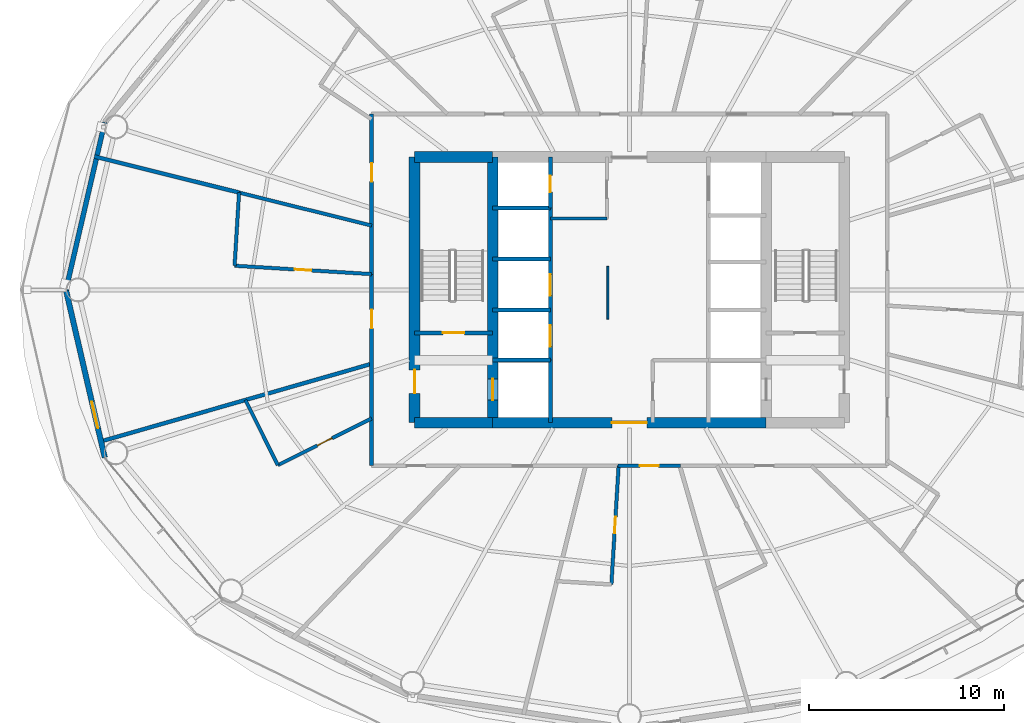
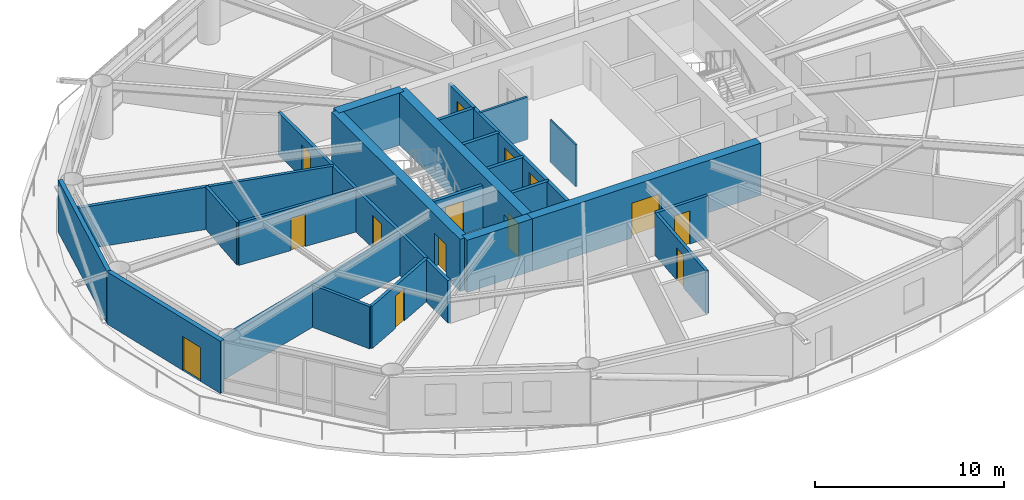
# One storey, part 18 of 24: 28 walls, 14 doors, 14 openings.
"""IFC4 building model written with IfcOpenShell, lengths in metres."""

from ifc_helpers import new_model, si_unit, direction, frame, frame_2d, origin, place, context, subcontext, project, spatial, rectangle, extrude, material, layer, layer_set, type_object, element, fill, save


model = new_model("IFC4")

# Units and contexts
model_context = context("Model", 3, precision=1e-05, world=origin(), true_north=direction((0.0, 1.0)))
body_context = subcontext(model_context, "Body", "Model", "MODEL_VIEW")
ifc_project = project(units=[si_unit("LENGTHUNIT", "METRE"), si_unit("AREAUNIT", "SQUARE_METRE"), si_unit("VOLUMEUNIT", "CUBIC_METRE"), si_unit("PLANEANGLEUNIT", "RADIAN"), si_unit("MASSUNIT", "GRAM", prefix="KILO")], contexts=[model_context])

# Site, building, storey
site_placement = place(None, origin())
site = spatial("IfcSite", under=ifc_project, at=site_placement, CompositionType="ELEMENT")
building_placement = place(site_placement, origin())
building = spatial("IfcBuilding", under=site, at=building_placement, Name="Sarneth Arch Tower", CompositionType="ELEMENT")
storey_placement = place(building_placement, frame((0.0, 0.0, 94.800048828125)))
storey = spatial("IfcBuildingStorey", under=building, at=storey_placement, Name="L23", CompositionType="ELEMENT", Elevation=94.800048828125)

# Wall
ifc_material_1 = material(Name="Concrete C60/75", Category="concrete")
ifc_layer_1 = layer(ifc_material_1, 0.550048828125)
ifc_layer_set_1 = layer_set([ifc_layer_1], Name="Concrete C60/75")
wall_type_1 = type_object("IfcWallType", Name="WALL-CORE-550", PredefinedType="SHEAR", material=ifc_layer_set_1)
wall_1_placement = place(storey_placement, frame((37.0, 35.199951171875, 0.0), z_axis=(0.0, 0.0, 1.0), x_axis=(1.0, 0.0, 0.0)))
element("IfcWall", 1, at=wall_1_placement, inside=storey, type_object=wall_type_1, Name="L23 Core shear wall S-W", PredefinedType="SHEAR", context=body_context, shape_type="SweptSolid", body=[
    extrude(rectangle(XDim=4.0, YDim=0.550048828125, at=frame_2d((2.0, 0.0))), origin(), (0.0, 0.0, 1.0), 3.3798828125),
])

# Wall, opening, door
wall_2_placement = place(storey_placement, frame((41.0, 35.199951171875, 0.0), z_axis=(0.0, 0.0, 1.0), x_axis=(1.0, 0.0, 0.0)))
wall_2 = element("IfcWall", 2, at=wall_2_placement, inside=storey, type_object=wall_type_1, Name="L23 Core shear wall S-M", PredefinedType="SHEAR", context=body_context, shape_type="SweptSolid", body=[
    extrude(rectangle(XDim=14.0, YDim=0.550048828125, at=frame_2d((7.0, 0.0))), origin(), (0.0, 0.0, 1.0), 3.3798828125),
])
opening_1_placement = place(wall_2_placement, frame((6.10009765625, 0.0, 0.0)))
opening_1 = element("IfcOpeningElement", 3, at=opening_1_placement, cuts=wall_2, Name="Opening FD-01", PredefinedType="OPENING", context=body_context, shape_type="SweptSolid", body=[
    extrude(rectangle(XDim=1.800048828125, YDim=2.25, at=frame_2d((0.89990234375, 1.125))), frame((0.0, 0.284912109375, 0.0), z_axis=(0.0, -1.0, 0.0), x_axis=(1.0, 0.0, 0.0)), (0.0, 0.0, 1.0), 0.570068359375),
])
ifc_material_2 = material(Name="Galvanised Steel S275 fire door set", Category="steel")
door_type_1 = type_object("IfcDoorType", Name="DR-FD90-1800", OperationType="DOUBLE_DOOR_SINGLE_SWING", PredefinedType="DOOR", material=ifc_material_2)
door_1_placement = place(opening_1_placement, origin())
door_1 = element("IfcDoor", 4, at=door_1_placement, inside=storey, type_object=door_type_1, Name="L23 Central lift lobby south door", OperationType="DOUBLE_DOOR_SINGLE_SWING", OverallHeight=2.25, OverallWidth=1.800048828125, PredefinedType="DOOR", context=body_context, shape_type="SweptSolid", body=[
    extrude(rectangle(XDim=1.800048828125, YDim=2.25, at=frame_2d((0.89990234375, 1.125))), frame((0.0, 0.02490234375, 0.0), z_axis=(0.0, -1.0, 0.0), x_axis=(1.0, 0.0, 0.0)), (0.0, 0.0, 1.0), 0.050048828125),
])
fill(opening_1, door_1)

# Wall
wall_3_placement = place(storey_placement, frame((37.0, 48.800048828125, 0.0), z_axis=(0.0, 0.0, 1.0), x_axis=(1.0, 0.0, 0.0)))
element("IfcWall", 5, at=wall_3_placement, inside=storey, type_object=wall_type_1, Name="L23 Core shear wall N-W", PredefinedType="SHEAR", context=body_context, shape_type="SweptSolid", body=[
    extrude(rectangle(XDim=4.0, YDim=0.550048828125, at=frame_2d((2.0, 0.0))), origin(), (0.0, 0.0, 1.0), 3.3798828125),
])

# Wall, opening, door
wall_4_placement = place(storey_placement, frame((37.0, 35.199951171875, 0.0), z_axis=(0.0, 0.0, 1.0), x_axis=(0.0, 1.0, 0.0)))
wall_4 = element("IfcWall", 6, at=wall_4_placement, inside=storey, type_object=wall_type_1, Name="L23 Core shear wall W", PredefinedType="SHEAR", context=body_context, shape_type="SweptSolid", body=[
    extrude(rectangle(XDim=13.60009765625, YDim=0.550048828125, at=frame_2d((6.800048828125, 0.0))), origin(), (0.0, 0.0, 1.0), 3.3798828125),
])
opening_2_placement = place(wall_4_placement, frame((1.5, 0.0, 0.0)))
opening_2 = element("IfcOpeningElement", 7, at=opening_2_placement, cuts=wall_4, Name="Opening FD-02", PredefinedType="OPENING", context=body_context, shape_type="SweptSolid", body=[
    extrude(rectangle(XDim=1.199951171875, YDim=2.14990234375, at=frame_2d((0.60009765625, 1.074951171875))), frame((0.0, 0.284912109375, 0.0), z_axis=(0.0, -1.0, 0.0), x_axis=(1.0, 0.0, 0.0)), (0.0, 0.0, 1.0), 0.570068359375),
])
ifc_material_3 = material(Name="Galvanised Steel S275 fire door set", Category="steel")
door_type_2 = type_object("IfcDoorType", Name="DR-FD90-1200", OperationType="SINGLE_SWING_LEFT", PredefinedType="DOOR", material=ifc_material_3)
door_2_placement = place(opening_2_placement, origin())
door_2 = element("IfcDoor", 8, at=door_2_placement, inside=storey, type_object=door_type_2, Name="L23 Firefighting lobby 1 exit door", OperationType="SINGLE_SWING_LEFT", OverallHeight=2.14990234375, OverallWidth=1.199951171875, PredefinedType="DOOR", context=body_context, shape_type="SweptSolid", body=[
    extrude(rectangle(XDim=1.199951171875, YDim=2.14990234375, at=frame_2d((0.60009765625, 1.074951171875))), frame((0.0, 0.02490234375, 0.0), z_axis=(0.0, -1.0, 0.0), x_axis=(1.0, 0.0, 0.0)), (0.0, 0.0, 1.0), 0.050048828125),
])
fill(opening_2, door_2)

wall_5_placement = place(storey_placement, frame((41.0, 35.199951171875, 0.0), z_axis=(0.0, 0.0, 1.0), x_axis=(0.0, 1.0, 0.0)))
wall_5 = element("IfcWall", 9, at=wall_5_placement, inside=storey, type_object=wall_type_1, Name="L23 Core shear wall WEB-W", PredefinedType="SHEAR", context=body_context, shape_type="SweptSolid", body=[
    extrude(rectangle(XDim=13.60009765625, YDim=0.550048828125, at=frame_2d((6.800048828125, 0.0))), origin(), (0.0, 0.0, 1.0), 3.3798828125),
])
opening_3_placement = place(wall_5_placement, frame((1.14990234375, 0.0, 0.0)))
opening_3 = element("IfcOpeningElement", 10, at=opening_3_placement, cuts=wall_5, Name="Opening LD-1", PredefinedType="OPENING", context=body_context, shape_type="SweptSolid", body=[
    extrude(rectangle(XDim=1.10009765625, YDim=2.199951171875, at=frame_2d((0.550048828125, 1.10009765625))), frame((0.0, 0.284912109375, 0.0), z_axis=(0.0, -1.0, 0.0), x_axis=(1.0, 0.0, 0.0)), (0.0, 0.0, 1.0), 0.570068359375),
])
ifc_material_4 = material(Name="Brushed Stainless Steel 304 lift landing door", Category="steel")
door_type_3 = type_object("IfcDoorType", Name="DR-LIFT-SLIDE-1100", OperationType="SLIDING_TO_LEFT", PredefinedType="DOOR", material=ifc_material_4)
door_3_placement = place(opening_3_placement, origin())
door_3 = element("IfcDoor", 11, at=door_3_placement, inside=storey, type_object=door_type_3, Name="L23 Firefighting lift landing door FL-1", OperationType="SLIDING_TO_LEFT", OverallHeight=2.199951171875, OverallWidth=1.10009765625, PredefinedType="DOOR", context=body_context, shape_type="SweptSolid", body=[
    extrude(rectangle(XDim=1.10009765625, YDim=2.199951171875, at=frame_2d((0.550048828125, 1.10009765625))), frame((0.0, 0.02490234375, 0.0), z_axis=(0.0, -1.0, 0.0), x_axis=(1.0, 0.0, 0.0)), (0.0, 0.0, 1.0), 0.050048828125),
])
fill(opening_3, door_3)

ifc_material_5 = material(Name="Double steel-stud corridor fire wall", Category="steel")
ifc_layer_2 = layer(ifc_material_5, 0.18994140625)
ifc_layer_set_2 = layer_set([ifc_layer_2], Name="Double steel-stud corridor fire wall")
wall_type_2 = type_object("IfcWallType", Name="WALL-CORR-190", PredefinedType="PARTITIONING", material=ifc_layer_set_2)
wall_6_placement = place(storey_placement, frame((34.800048828125, 42.775146484375, 0.0), z_axis=(0.0, 0.0, 1.0), x_axis=(0.0, 1.0, 0.0)))
wall_6 = element("IfcWall", 12, at=wall_6_placement, inside=storey, type_object=wall_type_2, Name="L23 Interior partition W-L23-TP-009", PredefinedType="PARTITIONING", context=body_context, shape_type="SweptSolid", body=[
    extrude(rectangle(XDim=8.224853515625, YDim=0.18994140625, at=frame_2d((4.1123046875, 0.0))), origin(), (0.0, 0.0, 1.0), 2.739990234375),
])
opening_4_placement = place(wall_6_placement, frame((4.7666015625, 0.0, 0.0)))
opening_4 = element("IfcOpeningElement", 13, at=opening_4_placement, cuts=wall_6, Name="Opening FD-09", PredefinedType="OPENING", context=body_context, shape_type="SweptSolid", body=[
    extrude(rectangle(XDim=0.949951171875, YDim=2.14990234375, at=frame_2d((0.47509765625, 1.074951171875))), frame((0.0, 0.10498046875, 0.0), z_axis=(0.0, -1.0, 0.0), x_axis=(1.0, 0.0, 0.0)), (0.0, 0.0, 1.0), 0.2099609375),
])
ifc_material_6 = material(Name="Hardwood timber hotel entrance fire door", Category="wood")
door_type_4 = type_object("IfcDoorType", Name="DR-FD60-950", OperationType="SINGLE_SWING_RIGHT", PredefinedType="DOOR", material=ifc_material_6)
door_4_placement = place(opening_4_placement, origin())
door_4 = element("IfcDoor", 14, at=door_4_placement, inside=storey, type_object=door_type_4, Name="L23 Interior door DR-L23-KEY-05", OperationType="SINGLE_SWING_LEFT", OverallHeight=2.14990234375, OverallWidth=0.949951171875, PredefinedType="DOOR", context=body_context, shape_type="SweptSolid", body=[
    extrude(rectangle(XDim=0.949951171875, YDim=2.14990234375, at=frame_2d((0.47509765625, 1.074951171875))), frame((0.0, 0.02490234375, 0.0), z_axis=(0.0, -1.0, 0.0), x_axis=(1.0, 0.0, 0.0)), (0.0, 0.0, 1.0), 0.050048828125),
])
fill(opening_4, door_4)

wall_7_placement = place(storey_placement, frame((34.800048828125, 33.0, 0.0), z_axis=(0.0, 0.0, 1.0), x_axis=(0.0, 1.0, 0.0)))
wall_7 = element("IfcWall", 15, at=wall_7_placement, inside=storey, type_object=wall_type_2, Name="L23 Interior partition W-L23-TP-012", PredefinedType="PARTITIONING", context=body_context, shape_type="SweptSolid", body=[
    extrude(rectangle(XDim=9.83935546875, YDim=0.18994140625, at=frame_2d((4.919677734375, 0.0))), origin(), (0.0, 0.0, 1.0), 2.739990234375),
])
opening_5_placement = place(wall_7_placement, frame((7.035400390625, 0.0, 0.0)))
opening_5 = element("IfcOpeningElement", 16, at=opening_5_placement, cuts=wall_7, Name="Opening FD-09", PredefinedType="OPENING", context=body_context, shape_type="SweptSolid", body=[
    extrude(rectangle(XDim=0.949951171875, YDim=2.14990234375, at=frame_2d((0.47509765625, 1.074951171875))), frame((0.0, 0.10498046875, 0.0), z_axis=(0.0, -1.0, 0.0), x_axis=(1.0, 0.0, 0.0)), (0.0, 0.0, 1.0), 0.2099609375),
])
door_5_placement = place(opening_5_placement, origin())
door_5 = element("IfcDoor", 17, at=door_5_placement, inside=storey, type_object=door_type_4, Name="L23 Interior door DR-L23-KEY-06", OperationType="SINGLE_SWING_RIGHT", OverallHeight=2.14990234375, OverallWidth=0.949951171875, PredefinedType="DOOR", context=body_context, shape_type="SweptSolid", body=[
    extrude(rectangle(XDim=0.949951171875, YDim=2.14990234375, at=frame_2d((0.47509765625, 1.074951171875))), frame((0.0, 0.02490234375, 0.0), z_axis=(0.0, -1.0, 0.0), x_axis=(1.0, 0.0, 0.0)), (0.0, 0.0, 1.0), 0.050048828125),
])
fill(opening_5, door_5)

wall_8_placement = place(storey_placement, frame((50.614013671875, 33.0, 0.0), z_axis=(0.0, 0.0, 1.0), x_axis=(-1.0, 0.0, 0.0)))
wall_8 = element("IfcWall", 18, at=wall_8_placement, inside=storey, type_object=wall_type_2, Name="L23 Interior partition W-L23-TP-018", PredefinedType="PARTITIONING", context=body_context, shape_type="SweptSolid", body=[
    extrude(rectangle(XDim=3.196533203125, YDim=0.18994140625, at=frame_2d((1.59814453125, 0.0))), origin(), (0.0, 0.0, 1.0), 2.739990234375),
])
opening_6_placement = place(wall_8_placement, frame((1.123291015625, 0.0, 0.0)))
opening_6 = element("IfcOpeningElement", 19, at=opening_6_placement, cuts=wall_8, Name="Opening FD-09", PredefinedType="OPENING", context=body_context, shape_type="SweptSolid", body=[
    extrude(rectangle(XDim=0.949951171875, YDim=2.14990234375, at=frame_2d((0.47509765625, 1.074951171875))), frame((0.0, 0.10498046875, 0.0), z_axis=(0.0, -1.0, 0.0), x_axis=(1.0, 0.0, 0.0)), (0.0, 0.0, 1.0), 0.2099609375),
])
door_6_placement = place(opening_6_placement, origin())
door_6 = element("IfcDoor", 20, at=door_6_placement, inside=storey, type_object=door_type_4, Name="L23 Interior door DR-L23-KEY-09", OperationType="SINGLE_SWING_RIGHT", OverallHeight=2.14990234375, OverallWidth=0.949951171875, PredefinedType="DOOR", context=body_context, shape_type="SweptSolid", body=[
    extrude(rectangle(XDim=0.949951171875, YDim=2.14990234375, at=frame_2d((0.47509765625, 1.074951171875))), frame((0.0, 0.02490234375, 0.0), z_axis=(0.0, -1.0, 0.0), x_axis=(1.0, 0.0, 0.0)), (0.0, 0.0, 1.0), 0.050048828125),
])
fill(opening_6, door_6)

# Wall
ifc_material_7 = material(Name="Extruded terracotta rainscreen on Concrete C40/50 backing", Category="masonry")
ifc_layer_3 = layer(ifc_material_7, 0.25)
ifc_layer_set_3 = layer_set([ifc_layer_3], Name="Extruded terracotta rainscreen on Concrete C40/50 backing")
wall_type_3 = type_object("IfcWallType", Name="WALL-EXT-SPAND-250", PredefinedType="SOLIDWALL", material=ifc_layer_set_3)
wall_9_placement = place(storey_placement, frame((21.138671875, 50.58349609375, 0.0), z_axis=(0.0, 0.0, 1.0), x_axis=(-0.22558597182, -0.974223264616, 0.0)))
element("IfcWall", 21, at=wall_9_placement, inside=storey, type_object=wall_type_3, Name="L23 Terracotta perimeter wall 08", PredefinedType="SOLIDWALL", context=body_context, shape_type="SweptSolid", body=[
    extrude(rectangle(XDim=8.810546875, YDim=0.25, at=frame_2d((4.4052734375, 0.0))), origin(), (0.0, 0.0, 1.0), 3.3798828125),
])

# Wall, opening, door
ifc_material_8 = material(Name="Extruded terracotta rainscreen on Concrete C40/50 backing", Category="masonry")
ifc_layer_4 = layer(ifc_material_8, 0.280029296875)
ifc_layer_set_4 = layer_set([ifc_layer_4], Name="Extruded terracotta rainscreen on Concrete C40/50 backing")
wall_type_4 = type_object("IfcWallType", Name="WALL-EXT-TERRA-280", PredefinedType="SOLIDWALL", material=ifc_layer_set_4)
wall_10_placement = place(storey_placement, frame((19.151123046875, 42.0, 0.0), z_axis=(0.0, 0.0, 1.0), x_axis=(0.22558597182, -0.974223264616, 0.0)))
wall_10 = element("IfcWall", 22, at=wall_10_placement, inside=storey, type_object=wall_type_4, Name="L23 Terracotta perimeter wall 09", PredefinedType="SOLIDWALL", context=body_context, shape_type="SweptSolid", body=[
    extrude(rectangle(XDim=8.810546875, YDim=0.280029296875, at=frame_2d((4.4052734375, 0.0))), origin(), (0.0, 0.0, 1.0), 3.3798828125),
])
opening_7_placement = place(wall_10_placement, frame((5.87451171875, 0.0, 0.0)))
opening_7 = element("IfcOpeningElement", 23, at=opening_7_placement, cuts=wall_10, Name="Opening BD-2", PredefinedType="OPENING", context=body_context, shape_type="SweptSolid", body=[
    extrude(rectangle(XDim=1.39990234375, YDim=2.199951171875, at=frame_2d((0.699951171875, 1.10009765625))), frame((0.0, 0.14990234375, 0.0), z_axis=(0.0, -1.0, 0.0), x_axis=(1.0, 0.0, 0.0)), (0.0, 0.0, 1.0), 0.300048828125),
])
ifc_material_9 = material(Name="Thermally broken Aluminium 6063-T6 and laminated safety glass", Category="aluminium")
door_type_5 = type_object("IfcDoorType", Name="DR-BALC-GLZ-1400", OperationType="SINGLE_SWING_LEFT", PredefinedType="DOOR", material=ifc_material_9)
door_7_placement = place(opening_7_placement, origin())
door_7 = element("IfcDoor", 24, at=door_7_placement, inside=storey, type_object=door_type_5, Name="L23 Balcony glazed door 09", OperationType="SINGLE_SWING_LEFT", OverallHeight=2.199951171875, OverallWidth=1.39990234375, PredefinedType="DOOR", context=body_context, shape_type="SweptSolid", body=[
    extrude(rectangle(XDim=1.39990234375, YDim=2.199951171875, at=frame_2d((0.699951171875, 1.10009765625))), frame((0.0, 0.02490234375, 0.0), z_axis=(0.0, -1.0, 0.0), x_axis=(1.0, 0.0, 0.0)), (0.0, 0.0, 1.0), 0.050048828125),
])
fill(opening_7, door_7)

# Walls
ifc_material_10 = material(Name="Demountable acoustic operable wall", Category="aluminium")
ifc_layer_5 = layer(ifc_material_10, 0.10009765625)
ifc_layer_set_5 = layer_set([ifc_layer_5], Name="Demountable acoustic operable wall")
wall_type_5 = type_object("IfcWallType", Name="WALL-MOVABLE-100", PredefinedType="MOVABLE", material=ifc_layer_set_5)
wall_11_placement = place(storey_placement, frame((46.89990234375, 40.5, 0.0), z_axis=(0.0, 0.0, 1.0), x_axis=(0.0, 1.0, 0.0)))
element("IfcWall", 25, at=wall_11_placement, inside=storey, type_object=wall_type_5, Name="L23 Lobby acoustic screen 4", PredefinedType="MOVABLE", context=body_context, shape_type="SweptSolid", body=[
    extrude(rectangle(XDim=2.699951171875, YDim=0.10009765625, at=frame_2d((1.35009765625, 0.0))), origin(), (0.0, 0.0, 1.0), 2.739990234375),
])
ifc_material_11 = material(Name="Acoustic gypsum stud partition", Category="gypsum")
ifc_layer_6 = layer(ifc_material_11, 0.14990234375)
ifc_layer_set_6 = layer_set([ifc_layer_6], Name="Acoustic gypsum stud partition")
wall_type_6 = type_object("IfcWallType", Name="WALL-PART-150", PredefinedType="PARTITIONING", material=ifc_layer_set_6)
wall_12_placement = place(storey_placement, frame((43.949951171875, 45.64990234375, 0.0), z_axis=(0.0, 0.0, 1.0), x_axis=(1.0, 0.0, 0.0)))
element("IfcWall", 26, at=wall_12_placement, inside=storey, type_object=wall_type_6, Name="L23 Interior partition W-L23-CSUP1-S", PredefinedType="PARTITIONING", context=body_context, shape_type="SweptSolid", body=[
    extrude(rectangle(XDim=2.900146484375, YDim=0.14990234375, at=frame_2d((1.4501953125, 0.0))), origin(), (0.0, 0.0, 1.0), 2.739990234375),
])

# Wall, opening, door
ifc_material_12 = material(Name="Moisture-resistant plumbing chase wall", Category="gypsum")
ifc_layer_7 = layer(ifc_material_12, 0.179931640625)
ifc_layer_set_7 = layer_set([ifc_layer_7], Name="Moisture-resistant plumbing chase wall")
wall_type_7 = type_object("IfcWallType", Name="WALL-PLUMB-180", PredefinedType="PLUMBINGWALL", material=ifc_layer_set_7)
wall_13_placement = place(storey_placement, frame((34.800048828125, 42.807373046875, 0.0), z_axis=(0.0, 0.0, 1.0), x_axis=(-0.998134708281, 0.061050013314, 0.0)))
wall_13 = element("IfcWall", 27, at=wall_13_placement, inside=storey, type_object=wall_type_7, Name="L23 Interior partition W-L23-TP-046", PredefinedType="PLUMBINGWALL", context=body_context, shape_type="SweptSolid", body=[
    extrude(rectangle(XDim=7.0263671875, YDim=0.179931640625, at=frame_2d((3.51318359375, 0.0))), origin(), (0.0, 0.0, 1.0), 2.739990234375),
])
opening_8_placement = place(wall_13_placement, frame((3.088134765625, 0.0, 0.0)))
opening_8 = element("IfcOpeningElement", 28, at=opening_8_placement, cuts=wall_13, Name="Opening ID-02", PredefinedType="OPENING", context=body_context, shape_type="SweptSolid", body=[
    extrude(rectangle(XDim=0.85009765625, YDim=2.10009765625, at=frame_2d((0.425048828125, 1.050048828125))), frame((0.0, 0.099853515625, 0.0), z_axis=(0.0, -1.0, 0.0), x_axis=(1.0, 0.0, 0.0)), (0.0, 0.0, 1.0), 0.199951171875),
])
ifc_material_13 = material(Name="Moisture-resistant bathroom timber door", Category="wood")
door_type_6 = type_object("IfcDoorType", Name="DR-INT-850", OperationType="SINGLE_SWING_RIGHT", PredefinedType="DOOR", material=ifc_material_13)
door_8_placement = place(opening_8_placement, origin())
door_8 = element("IfcDoor", 29, at=door_8_placement, inside=storey, type_object=door_type_6, Name="L23 Interior door DR-L23-ENS-06", OperationType="SINGLE_SWING_RIGHT", OverallHeight=2.10009765625, OverallWidth=0.85009765625, PredefinedType="DOOR", context=body_context, shape_type="SweptSolid", body=[
    extrude(rectangle(XDim=0.85009765625, YDim=2.10009765625, at=frame_2d((0.425048828125, 1.050048828125))), frame((0.0, 0.02490234375, 0.0), z_axis=(0.0, -1.0, 0.0), x_axis=(1.0, 0.0, 0.0)), (0.0, 0.0, 1.0), 0.050048828125),
])
fill(opening_8, door_8)

# Wall
wall_14_placement = place(storey_placement, frame((28.015869140625, 46.982666015625, 0.0), z_axis=(0.0, 0.0, 1.0), x_axis=(0.970290206094, -0.241944034764, 0.0)))
element("IfcWall", 30, at=wall_14_placement, inside=storey, type_object=wall_type_7, Name="L23 Interior partition W-L23-TP-045", PredefinedType="PLUMBINGWALL", context=body_context, shape_type="SweptSolid", body=[
    extrude(rectangle(XDim=6.991943359375, YDim=0.179931640625, at=frame_2d((3.49609375, 0.0))), origin(), (0.0, 0.0, 1.0), 2.739990234375),
])

# Wall, opening, door
wall_15_placement = place(storey_placement, frame((47.077392578125, 26.916259765625, 0.0), z_axis=(0.0, 0.0, 1.0), x_axis=(0.061044096749, 0.998135070144, 0.0)))
wall_15 = element("IfcWall", 31, at=wall_15_placement, inside=storey, type_object=wall_type_7, Name="L23 Interior partition W-L23-TP-056", PredefinedType="PLUMBINGWALL", context=body_context, shape_type="SweptSolid", body=[
    extrude(rectangle(XDim=6.09521484375, YDim=0.179931640625, at=frame_2d((3.047607421875, 0.0))), origin(), (0.0, 0.0, 1.0), 2.739990234375),
])
opening_9_placement = place(wall_15_placement, frame((2.62255859375, 0.0, 0.0)))
opening_9 = element("IfcOpeningElement", 32, at=opening_9_placement, cuts=wall_15, Name="Opening ID-02", PredefinedType="OPENING", context=body_context, shape_type="SweptSolid", body=[
    extrude(rectangle(XDim=0.85009765625, YDim=2.10009765625, at=frame_2d((0.425048828125, 1.050048828125))), frame((0.0, 0.099853515625, 0.0), z_axis=(0.0, -1.0, 0.0), x_axis=(1.0, 0.0, 0.0)), (0.0, 0.0, 1.0), 0.199951171875),
])
door_9_placement = place(opening_9_placement, origin())
door_9 = element("IfcDoor", 33, at=door_9_placement, inside=storey, type_object=door_type_6, Name="L23 Interior door DR-L23-ENS-09", OperationType="SINGLE_SWING_LEFT", OverallHeight=2.10009765625, OverallWidth=0.85009765625, PredefinedType="DOOR", context=body_context, shape_type="SweptSolid", body=[
    extrude(rectangle(XDim=0.85009765625, YDim=2.10009765625, at=frame_2d((0.425048828125, 1.050048828125))), frame((0.0, 0.02490234375, 0.0), z_axis=(0.0, -1.0, 0.0), x_axis=(1.0, 0.0, 0.0)), (0.0, 0.0, 1.0), 0.050048828125),
])
fill(opening_9, door_9)

wall_16_placement = place(storey_placement, frame((30.002197265625, 33.026611328125, 0.0), z_axis=(0.0, 0.0, 1.0), x_axis=(0.894936648514, 0.446193226244, 0.0)))
wall_16 = element("IfcWall", 34, at=wall_16_placement, inside=storey, type_object=wall_type_7, Name="L23 Interior partition W-L23-TP-051", PredefinedType="PLUMBINGWALL", context=body_context, shape_type="SweptSolid", body=[
    extrude(rectangle(XDim=5.361083984375, YDim=0.179931640625, at=frame_2d((2.6806640625, 0.0))), origin(), (0.0, 0.0, 1.0), 2.739990234375),
])
opening_10_placement = place(wall_16_placement, frame((2.255615234375, 0.0, 0.0)))
opening_10 = element("IfcOpeningElement", 35, at=opening_10_placement, cuts=wall_16, Name="Opening ID-02", PredefinedType="OPENING", context=body_context, shape_type="SweptSolid", body=[
    extrude(rectangle(XDim=0.85009765625, YDim=2.10009765625, at=frame_2d((0.425048828125, 1.050048828125))), frame((0.0, 0.099853515625, 0.0), z_axis=(0.0, -1.0, 0.0), x_axis=(1.0, 0.0, 0.0)), (0.0, 0.0, 1.0), 0.199951171875),
])
door_10_placement = place(opening_10_placement, origin())
door_10 = element("IfcDoor", 36, at=door_10_placement, inside=storey, type_object=door_type_6, Name="L23 Interior door DR-L23-ENS-07", OperationType="SINGLE_SWING_RIGHT", OverallHeight=2.10009765625, OverallWidth=0.85009765625, PredefinedType="DOOR", context=body_context, shape_type="SweptSolid", body=[
    extrude(rectangle(XDim=0.85009765625, YDim=2.10009765625, at=frame_2d((0.425048828125, 1.050048828125))), frame((0.0, 0.02490234375, 0.0), z_axis=(0.0, -1.0, 0.0), x_axis=(1.0, 0.0, 0.0)), (0.0, 0.0, 1.0), 0.050048828125),
])
fill(opening_10, door_10)

# Walls
wall_17_placement = place(storey_placement, frame((27.786865234375, 43.236328125, 0.0), z_axis=(0.0, 0.0, 1.0), x_axis=(0.061013519028, 0.998136939751, 0.0)))
element("IfcWall", 37, at=wall_17_placement, inside=storey, type_object=wall_type_7, Name="L23 Interior partition W-L23-TP-047", PredefinedType="PLUMBINGWALL", context=body_context, shape_type="SweptSolid", body=[
    extrude(rectangle(XDim=3.75341796875, YDim=0.179931640625, at=frame_2d((1.876708984375, 0.0))), origin(), (0.0, 0.0, 1.0), 2.739990234375),
])
wall_18_placement = place(storey_placement, frame((28.3388671875, 36.3623046875, 0.0), z_axis=(0.0, 0.0, 1.0), x_axis=(0.446243949247, -0.894911357488, 0.0)))
element("IfcWall", 38, at=wall_18_placement, inside=storey, type_object=wall_type_7, Name="L23 Interior partition W-L23-TP-050", PredefinedType="PLUMBINGWALL", context=body_context, shape_type="SweptSolid", body=[
    extrude(rectangle(XDim=3.727294921875, YDim=0.179931640625, at=frame_2d((1.86376953125, 0.0))), origin(), (0.0, 0.0, 1.0), 2.739990234375),
])

# Wall, opening, door
ifc_material_14 = material(Name="Aerated concrete blockwork C25/30", Category="masonry")
ifc_layer_8 = layer(ifc_material_14, 0.199951171875)
ifc_layer_set_8 = layer_set([ifc_layer_8], Name="Aerated concrete blockwork C25/30")
wall_type_8 = type_object("IfcWallType", Name="WALL-SHAFT-200", PredefinedType="SOLIDWALL", material=ifc_layer_set_8)
wall_19_placement = place(storey_placement, frame((37.0, 39.800048828125, 0.0), z_axis=(0.0, 0.0, 1.0), x_axis=(1.0, 0.0, 0.0)))
wall_19 = element("IfcWall", 39, at=wall_19_placement, inside=storey, type_object=wall_type_8, Name="L23 Interior partition W-L23-ST1-S", PredefinedType="SOLIDWALL", context=body_context, shape_type="SweptSolid", body=[
    extrude(rectangle(XDim=4.0, YDim=0.199951171875, at=frame_2d((2.0, 0.0))), origin(), (0.0, 0.0, 1.0), 2.739990234375),
])
opening_11_placement = place(wall_19_placement, frame((1.449951171875, 0.0, 0.0)))
opening_11 = element("IfcOpeningElement", 40, at=opening_11_placement, cuts=wall_19, Name="Opening FD-03", PredefinedType="OPENING", context=body_context, shape_type="SweptSolid", body=[
    extrude(rectangle(XDim=1.10009765625, YDim=2.14990234375, at=frame_2d((0.550048828125, 1.074951171875))), frame((0.0, 0.10986328125, 0.0), z_axis=(0.0, -1.0, 0.0), x_axis=(1.0, 0.0, 0.0)), (0.0, 0.0, 1.0), 0.219970703125),
])
ifc_material_15 = material(Name="Galvanised Steel S275 fire door set", Category="steel")
door_type_7 = type_object("IfcDoorType", Name="DR-FD90-1100", OperationType="SINGLE_SWING_LEFT", PredefinedType="DOOR", material=ifc_material_15)
door_11_placement = place(opening_11_placement, origin())
door_11 = element("IfcDoor", 41, at=door_11_placement, inside=storey, type_object=door_type_7, Name="L23 Interior door DR-L23-ST1", OperationType="SINGLE_SWING_LEFT", OverallHeight=2.14990234375, OverallWidth=1.10009765625, PredefinedType="DOOR", context=body_context, shape_type="SweptSolid", body=[
    extrude(rectangle(XDim=1.10009765625, YDim=2.14990234375, at=frame_2d((0.550048828125, 1.074951171875))), frame((0.0, 0.02490234375, 0.0), z_axis=(0.0, -1.0, 0.0), x_axis=(1.0, 0.0, 0.0)), (0.0, 0.0, 1.0), 0.050048828125),
])
fill(opening_11, door_11)

# Walls
wall_20_placement = place(storey_placement, frame((43.949951171875, 35.199951171875, 0.0), z_axis=(0.0, 0.0, 1.0), x_axis=(0.0, 1.0, 0.0)))
element("IfcWall", 42, at=wall_20_placement, inside=storey, type_object=wall_type_8, Name="L23 Interior partition W-L23-FL1-E", PredefinedType="SOLIDWALL", context=body_context, shape_type="SweptSolid", body=[
    extrude(rectangle(XDim=3.199951171875, YDim=0.199951171875, at=frame_2d((1.60009765625, 0.0))), origin(), (0.0, 0.0, 1.0), 2.739990234375),
])
for number, where, z_axis, x_axis, name in (
    (43, (41.0, 38.39990234375, 0.0), (0.0, 0.0, 1.0), (1.0, 0.0, 0.0), "L23 Interior partition W-L23-FL1-N"),
    (44, (41.0, 46.199951171875, 0.0), (0.0, 0.0, 1.0), (1.0, 0.0, 0.0), "L23 Interior partition W-L23-RISER-S"),
):
    element("IfcWall", number, at=place(storey_placement, frame(where, z_axis=z_axis, x_axis=x_axis)), inside=storey, type_object=wall_type_8, Name=name, PredefinedType="SOLIDWALL", context=body_context, shape_type="SweptSolid", body=[
        extrude(rectangle(XDim=2.949951171875, YDim=0.199951171875, at=frame_2d((1.47509765625, 0.0))), origin(), (0.0, 0.0, 1.0), 2.739990234375),
    ])

# Wall, opening, door
wall_21_placement = place(storey_placement, frame((43.949951171875, 46.199951171875, 0.0), z_axis=(0.0, 0.0, 1.0), x_axis=(0.0, 1.0, 0.0)))
wall_21 = element("IfcWall", 45, at=wall_21_placement, inside=storey, type_object=wall_type_8, Name="L23 Interior partition W-L23-RISER-E", PredefinedType="SOLIDWALL", context=body_context, shape_type="SweptSolid", body=[
    extrude(rectangle(XDim=2.60009765625, YDim=0.199951171875, at=frame_2d((1.300048828125, 0.0))), origin(), (0.0, 0.0, 1.0), 2.739990234375),
])
opening_12_placement = place(wall_21_placement, frame((0.800048828125, 0.0, 0.0)))
opening_12 = element("IfcOpeningElement", 46, at=opening_12_placement, cuts=wall_21, Name="Opening FD-11", PredefinedType="OPENING", context=body_context, shape_type="SweptSolid", body=[
    extrude(rectangle(XDim=0.85009765625, YDim=2.14990234375, at=frame_2d((0.425048828125, 1.074951171875))), frame((0.0, 0.10986328125, 0.0), z_axis=(0.0, -1.0, 0.0), x_axis=(1.0, 0.0, 0.0)), (0.0, 0.0, 1.0), 0.219970703125),
])
ifc_material_16 = material(Name="Galvanised Steel S275 closet fire door", Category="steel")
door_type_8 = type_object("IfcDoorType", Name="DR-FD60-850", OperationType="SINGLE_SWING_LEFT", PredefinedType="DOOR", material=ifc_material_16)
door_12_placement = place(opening_12_placement, origin())
door_12 = element("IfcDoor", 47, at=door_12_placement, inside=storey, type_object=door_type_8, Name="L23 Lift landing door DR-L23-RISER", OperationType="SINGLE_SWING_LEFT", OverallHeight=2.14990234375, OverallWidth=0.85009765625, PredefinedType="DOOR", context=body_context, shape_type="SweptSolid", body=[
    extrude(rectangle(XDim=0.85009765625, YDim=2.14990234375, at=frame_2d((0.425048828125, 1.074951171875))), frame((0.0, 0.02490234375, 0.0), z_axis=(0.0, -1.0, 0.0), x_axis=(1.0, 0.0, 0.0)), (0.0, 0.0, 1.0), 0.050048828125),
])
fill(opening_12, door_12)

# Wall, openings, doors
wall_22_placement = place(storey_placement, frame((43.949951171875, 38.39990234375, 0.0), z_axis=(0.0, 0.0, 1.0), x_axis=(0.0, 1.0, 0.0)))
wall_22 = element("IfcWall", 48, at=wall_22_placement, inside=storey, type_object=wall_type_8, Name="L23 Interior partition W-L23-WESTBANK-FRONT", PredefinedType="SOLIDWALL", context=body_context, shape_type="SweptSolid", body=[
    extrude(rectangle(XDim=7.800048828125, YDim=0.199951171875, at=frame_2d((3.89990234375, 0.0))), origin(), (0.0, 0.0, 1.0), 2.739990234375),
])
opening_13_placement = place(wall_22_placement, frame((0.699951171875, 0.0, 0.0)))
opening_13 = element("IfcOpeningElement", 49, at=opening_13_placement, cuts=wall_22, Name="Opening LD-1", PredefinedType="OPENING", context=body_context, shape_type="SweptSolid", body=[
    extrude(rectangle(XDim=1.10009765625, YDim=2.199951171875, at=frame_2d((0.550048828125, 1.10009765625))), frame((0.0, 0.10986328125, 0.0), z_axis=(0.0, -1.0, 0.0), x_axis=(1.0, 0.0, 0.0)), (0.0, 0.0, 1.0), 0.219970703125),
])
opening_14_placement = place(wall_22_placement, frame((3.300048828125, 0.0, 0.0)))
opening_14 = element("IfcOpeningElement", 50, at=opening_14_placement, cuts=wall_22, Name="Opening LD-1", PredefinedType="OPENING", context=body_context, shape_type="SweptSolid", body=[
    extrude(rectangle(XDim=1.10009765625, YDim=2.199951171875, at=frame_2d((0.550048828125, 1.10009765625))), frame((0.0, 0.10986328125, 0.0), z_axis=(0.0, -1.0, 0.0), x_axis=(1.0, 0.0, 0.0)), (0.0, 0.0, 1.0), 0.219970703125),
])
door_13_placement = place(opening_13_placement, origin())
door_13 = element("IfcDoor", 51, at=door_13_placement, inside=storey, type_object=door_type_3, Name="L23 Lift landing door DR-L23-LD-PL1", OperationType="SLIDING_TO_LEFT", OverallHeight=2.199951171875, OverallWidth=1.10009765625, PredefinedType="DOOR", context=body_context, shape_type="SweptSolid", body=[
    extrude(rectangle(XDim=1.10009765625, YDim=2.199951171875, at=frame_2d((0.550048828125, 1.10009765625))), frame((0.0, 0.02490234375, 0.0), z_axis=(0.0, -1.0, 0.0), x_axis=(1.0, 0.0, 0.0)), (0.0, 0.0, 1.0), 0.050048828125),
])
fill(opening_13, door_13)
door_14_placement = place(opening_14_placement, origin())
door_14 = element("IfcDoor", 52, at=door_14_placement, inside=storey, type_object=door_type_3, Name="L23 Lift landing door DR-L23-LD-PL2", OperationType="SLIDING_TO_RIGHT", OverallHeight=2.199951171875, OverallWidth=1.10009765625, PredefinedType="DOOR", context=body_context, shape_type="SweptSolid", body=[
    extrude(rectangle(XDim=1.10009765625, YDim=2.199951171875, at=frame_2d((0.550048828125, 1.10009765625))), frame((0.0, 0.02490234375, 0.0), z_axis=(0.0, -1.0, 0.0), x_axis=(1.0, 0.0, 0.0)), (0.0, 0.0, 1.0), 0.050048828125),
])
fill(opening_14, door_14)

# Walls
for number, where, z_axis, x_axis, name in (
    (53, (41.0, 40.97998046875, 0.0), (0.0, 0.0, 1.0), (1.0, 0.0, 0.0), "L23 Interior partition W-L23-WB-DIV-4098"),
    (54, (41.0, 43.580078125, 0.0), (0.0, 0.0, 1.0), (1.0, 0.0, 0.0), "L23 Interior partition W-L23-WB-DIV-4358"),
):
    element("IfcWall", number, at=place(storey_placement, frame(where, z_axis=z_axis, x_axis=x_axis)), inside=storey, type_object=wall_type_8, Name=name, PredefinedType="SOLIDWALL", context=body_context, shape_type="SweptSolid", body=[
        extrude(rectangle(XDim=2.949951171875, YDim=0.199951171875, at=frame_2d((1.47509765625, 0.0))), origin(), (0.0, 0.0, 1.0), 2.739990234375),
    ])
ifc_material_17 = material(Name="Double steel-stud acoustic drywall", Category="steel")
ifc_layer_9 = layer(ifc_material_17, 0.199951171875)
ifc_layer_set_9 = layer_set([ifc_layer_9], Name="Double steel-stud acoustic drywall")
wall_type_9 = type_object("IfcWallType", Name="WALL-UNIT-200", PredefinedType="PARTITIONING", material=ifc_layer_set_9)
wall_23_placement = place(storey_placement, frame((34.800048828125, 38.215087890625, 0.0), z_axis=(0.0, 0.0, 1.0), x_axis=(-0.961261030421, -0.275639676741, 0.0)))
element("IfcWall", 55, at=wall_23_placement, inside=storey, type_object=wall_type_9, Name="L23 Interior partition W-L23-TP-048", PredefinedType="PARTITIONING", context=body_context, shape_type="SweptSolid", body=[
    extrude(rectangle(XDim=14.53125, YDim=0.199951171875, at=frame_2d((7.265625, 0.0))), origin(), (0.0, 0.0, 1.0), 2.739990234375),
])
wall_24_placement = place(storey_placement, frame((20.609375, 48.8291015625, 0.0), z_axis=(0.0, 0.0, 1.0), x_axis=(0.970302209845, -0.241895889938, 0.0)))
element("IfcWall", 56, at=wall_24_placement, inside=storey, type_object=wall_type_9, Name="L23 Interior partition W-L23-TP-044", PredefinedType="PARTITIONING", context=body_context, shape_type="SweptSolid", body=[
    extrude(rectangle(XDim=7.63330078125, YDim=0.199951171875, at=frame_2d((3.816650390625, 0.0))), origin(), (0.0, 0.0, 1.0), 2.739990234375),
])

save(model, "model.ifc")
